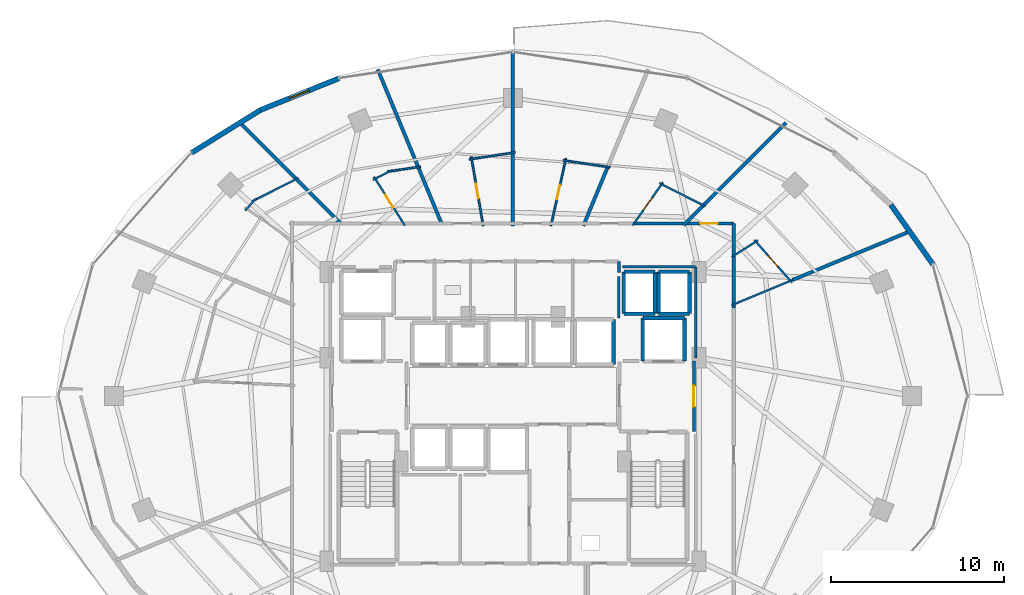
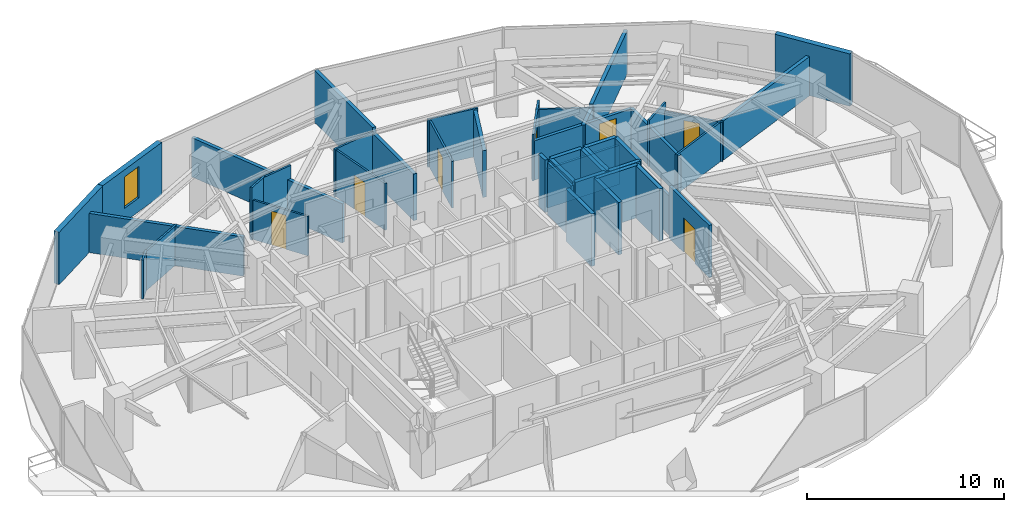
# One storey, part 27 of 31: 46 walls, 7 doors, 1 window, 8 openings.
"""IFC4 building model written with IfcOpenShell, lengths in metres."""

from ifc_helpers import new_model, si_unit, direction, frame, frame_2d, origin, place, context, subcontext, project, spatial, rectangle, extrude, material, layer, layer_set, type_object, element, fill, save


model = new_model("IFC4")

# Units and contexts
model_context = context("Model", 3, precision=1e-05, world=origin(), true_north=direction((0.0, 1.0)))
body_context = subcontext(model_context, "Body", "Model", "MODEL_VIEW")
ifc_project = project(units=[si_unit("LENGTHUNIT", "METRE"), si_unit("AREAUNIT", "SQUARE_METRE"), si_unit("VOLUMEUNIT", "CUBIC_METRE"), si_unit("PLANEANGLEUNIT", "RADIAN"), si_unit("MASSUNIT", "GRAM", prefix="KILO")], contexts=[model_context])

# Site, building, storey
site_placement = place(None, origin())
site = spatial("IfcSite", under=ifc_project, at=site_placement, CompositionType="ELEMENT")
building_placement = place(site_placement, origin())
building = spatial("IfcBuilding", under=site, at=building_placement, Name="Vorneva Point Tower", CompositionType="ELEMENT")
storey_placement = place(building_placement, frame((0.0, 0.0, 99.800048828125)))
storey = spatial("IfcBuildingStorey", under=building, at=storey_placement, Name="L26", CompositionType="ELEMENT", Elevation=99.800048828125)

# Walls
ifc_material_1 = material(Name="Concrete B60 (C50/60)", Category="concrete")
ifc_layer_1 = layer(ifc_material_1, 0.5)
ifc_layer_set_1 = layer_set([ifc_layer_1], Name="Concrete B60 (C50/60)")
wall_type_1 = type_object("IfcWallType", Name="WL-CORE-500", PredefinedType="SHEAR", material=ifc_layer_set_1)
wall_1_placement = place(storey_placement, frame((47.89990234375, 28.0, 0.0), z_axis=(0.0, 0.0, 1.0), x_axis=(0.0, 1.0, 0.0)))
element("IfcWall", 1, at=wall_1_placement, inside=storey, type_object=wall_type_1, Name="L26 Lift FFL2 Shaft Wall +X", PredefinedType="SHEAR", context=body_context, shape_type="SweptSolid", body=[
    extrude(rectangle(XDim=2.5, YDim=0.219970703125, at=frame_2d((1.25, 0.0))), origin(), (0.0, 0.0, 1.0), 3.239990234375),
])
wall_2_placement = place(storey_placement, frame((47.89990234375, 30.5, 0.0), z_axis=(0.0, 0.0, 1.0), x_axis=(-1.0, 0.0, 0.0)))
element("IfcWall", 2, at=wall_2_placement, inside=storey, type_object=wall_type_1, Name="L26 Lift FFL2 Shaft Wall +Y", PredefinedType="SHEAR", context=body_context, shape_type="SweptSolid", body=[
    extrude(rectangle(XDim=2.39990234375, YDim=0.219970703125, at=frame_2d((1.199951171875, 0.0))), origin(), (0.0, 0.0, 1.0), 3.239990234375),
])
wall_3_placement = place(storey_placement, frame((45.5, 30.5, 0.0), z_axis=(0.0, 0.0, 1.0), x_axis=(0.0, -1.0, 0.0)))
element("IfcWall", 3, at=wall_3_placement, inside=storey, type_object=wall_type_1, Name="L26 Lift FFL2 Shaft Wall -X", PredefinedType="SHEAR", context=body_context, shape_type="SweptSolid", body=[
    extrude(rectangle(XDim=2.5, YDim=0.219970703125, at=frame_2d((1.25, 0.0))), origin(), (0.0, 0.0, 1.0), 3.239990234375),
])
ifc_material_2 = material(Name="Precast concrete B50 (C40/50)", Category="concrete")
ifc_layer_2 = layer(ifc_material_2, 0.300048828125)
ifc_layer_set_2 = layer_set([ifc_layer_2], Name="Precast concrete B50 (C40/50)")
wall_type_2 = type_object("IfcWallType", Name="WL-EXT-300", PredefinedType="STANDARD", material=ifc_layer_set_2)
wall_4_placement = place(storey_placement, frame((62.251708984375, 33.59619140625, 0.0), z_axis=(0.0, 0.0, 1.0), x_axis=(-0.57716435238, 0.81662801222, 0.0)))
element("IfcWall", 4, at=wall_4_placement, inside=storey, type_object=wall_type_2, Name="L26 Pale-Metal Facade Spandrel Wall 02.1", PredefinedType="STANDARD", context=body_context, shape_type="SweptSolid", body=[
    extrude(rectangle(XDim=4.202392578125, YDim=0.300048828125, at=frame_2d((2.10107421875, 0.0))), origin(), (0.0, 0.0, 1.0), 3.239990234375),
])

# Wall, opening, window
wall_5_placement = place(storey_placement, frame((27.95458984375, 44.339111328125, 0.0), z_axis=(0.0, 0.0, 1.0), x_axis=(-0.927122233109, -0.374759075775, 0.0)))
wall_5 = element("IfcWall", 5, at=wall_5_placement, inside=storey, type_object=wall_type_2, Name="L26 Pale-Metal Facade Spandrel Wall 06.1", PredefinedType="STANDARD", context=body_context, shape_type="SweptSolid", body=[
    extrude(rectangle(XDim=4.89501953125, YDim=0.300048828125, at=frame_2d((2.447509765625, 0.0))), origin(), (0.0, 0.0, 1.0), 3.239990234375),
])
opening_1_placement = place(wall_5_placement, frame((1.87744140625, 0.0, 0.85009765625)))
opening_1 = element("IfcOpeningElement", 6, at=opening_1_placement, cuts=wall_5, Name="Opening W-04", PredefinedType="OPENING", context=body_context, shape_type="SweptSolid", body=[
    extrude(rectangle(XDim=1.199951171875, YDim=1.949951171875, at=frame_2d((0.60009765625, 0.97509765625))), frame((0.0, 0.1650390625, 0.0), z_axis=(0.0, -1.0, 0.0), x_axis=(1.0, 0.0, 0.0)), (0.0, 0.0, 1.0), 0.329833984375),
])
ifc_material_3 = material(Name="Double low-e laminated glass IGU", Category="glass")
window_type = type_object("IfcWindowType", Name="WN-RES-1200", PartitioningType="SINGLE_PANEL", PredefinedType="WINDOW", material=ifc_material_3)
window_placement = place(opening_1_placement, origin())
window = element("IfcWindow", 7, at=window_placement, inside=storey, type_object=window_type, Name="L26 Dwelling Vision Window 01", OverallHeight=1.949951171875, OverallWidth=1.199951171875, PartitioningType="SINGLE_PANEL", PredefinedType="WINDOW", context=body_context, shape_type="SweptSolid", body=[
    extrude(rectangle(XDim=1.199951171875, YDim=1.949951171875, at=frame_2d((0.60009765625, 0.97509765625))), frame((0.0, 0.030029296875, 0.0), z_axis=(0.0, -1.0, 0.0), x_axis=(1.0, 0.0, 0.0)), (0.0, 0.0, 1.0), 0.06005859375),
])
fill(opening_1, window)

# Wall
wall_6_placement = place(storey_placement, frame((23.416259765625, 42.504638671875, 0.0), z_axis=(0.0, 0.0, 1.0), x_axis=(-0.849684479743, -0.527291461038, 0.0)))
element("IfcWall", 8, at=wall_6_placement, inside=storey, type_object=wall_type_2, Name="L26 Pale-Metal Facade Spandrel Wall 06.2", PredefinedType="STANDARD", context=body_context, shape_type="SweptSolid", body=[
    extrude(rectangle(XDim=4.681396484375, YDim=0.300048828125, at=frame_2d((2.3408203125, 0.0))), origin(), (0.0, 0.0, 1.0), 3.239990234375),
])

# Wall, opening, door
ifc_material_4 = material(Name="Fire-rated acoustic gypsum stud partition", Category="gypsum")
ifc_layer_3 = layer(ifc_material_4, 0.110107421875)
ifc_layer_set_3 = layer_set([ifc_layer_3], Name="Fire-rated acoustic gypsum stud partition")
wall_type_3 = type_object("IfcWallType", Name="WL-PART-110", PredefinedType="PARTITIONING", material=ifc_layer_set_3)
wall_7_placement = place(storey_placement, frame((51.935302734375, 35.0068359375, 0.0), z_axis=(0.0, 0.0, 1.0), x_axis=(0.662059609276, -0.749451181709, 0.0)))
wall_7 = element("IfcWall", 9, at=wall_7_placement, inside=storey, type_object=wall_type_3, Name="L26 Interior Partition 053", PredefinedType="PARTITIONING", context=body_context, shape_type="SweptSolid", body=[
    extrude(rectangle(XDim=3.29931640625, YDim=0.110107421875, at=frame_2d((1.649658203125, 0.0))), origin(), (0.0, 0.0, 1.0), 2.431884765625),
])
opening_2_placement = place(wall_7_placement, frame((1.224609375, 0.0, 0.0)))
opening_2 = element("IfcOpeningElement", 10, at=opening_2_placement, cuts=wall_7, Name="Opening ID-02", PredefinedType="OPENING", context=body_context, shape_type="SweptSolid", body=[
    extrude(rectangle(XDim=0.85009765625, YDim=2.10009765625, at=frame_2d((0.425048828125, 1.050048828125))), frame((0.0, 0.06982421875, 0.0), z_axis=(0.0, -1.0, 0.0), x_axis=(1.0, 0.0, 0.0)), (0.0, 0.0, 1.0), 0.139892578125),
])
ifc_material_5 = material(Name="Engineered oak fire-rated door leaf", Category="wood")
door_type_1 = type_object("IfcDoorType", Name="DR-BATH-850", OperationType="NOTDEFINED", PredefinedType="DOOR", material=ifc_material_5)
door_1_placement = place(opening_2_placement, origin())
door_1 = element("IfcDoor", 11, at=door_1_placement, inside=storey, type_object=door_type_1, Name="L26 Door King Guest Room L26-01 / En-Suite Bathroom L26-01", OperationType="SINGLE_SWING_RIGHT", OverallHeight=2.10009765625, OverallWidth=0.85009765625, PredefinedType="DOOR", context=body_context, shape_type="SweptSolid", body=[
    extrude(rectangle(XDim=0.85009765625, YDim=2.10009765625, at=frame_2d((0.425048828125, 1.050048828125))), frame((0.0, 0.02490234375, 0.0), z_axis=(0.0, -1.0, 0.0), x_axis=(1.0, 0.0, 0.0)), (0.0, 0.0, 1.0), 0.050048828125),
])
fill(opening_2, door_1)

# Walls
wall_8_placement = place(storey_placement, frame((54.15625, 32.692626953125, 0.0), z_axis=(0.0, 0.0, 1.0), x_axis=(-0.923803754276, -0.382866326002, 0.0)))
element("IfcWall", 12, at=wall_8_placement, inside=storey, type_object=wall_type_3, Name="L26 Interior Partition 054", PredefinedType="PARTITIONING", context=body_context, shape_type="SweptSolid", body=[
    extrude(rectangle(XDim=3.8271484375, YDim=0.110107421875, at=frame_2d((1.91357421875, 0.0))), origin(), (0.0, 0.0, 1.0), 2.431884765625),
])
wall_9_placement = place(storey_placement, frame((50.6318359375, 34.01611328125, 0.0), z_axis=(0.0, 0.0, 1.0), x_axis=(0.844361394482, 0.535774052665, 0.0)))
element("IfcWall", 13, at=wall_9_placement, inside=storey, type_object=wall_type_3, Name="L26 Interior Partition 055", PredefinedType="PARTITIONING", context=body_context, shape_type="SweptSolid", body=[
    extrude(rectangle(XDim=1.79345703125, YDim=0.110107421875, at=frame_2d((0.896728515625, 0.0))), origin(), (0.0, 0.0, 1.0), 2.885986328125),
])
wall_10_placement = place(storey_placement, frame((46.462158203125, 38.281005859375, 0.0), z_axis=(0.0, 0.0, 1.0), x_axis=(0.892486842203, -0.451073426944, 0.0)))
element("IfcWall", 14, at=wall_10_placement, inside=storey, type_object=wall_type_3, Name="L26 Interior Partition 059", PredefinedType="PARTITIONING", context=body_context, shape_type="SweptSolid", body=[
    extrude(rectangle(XDim=2.982177734375, YDim=0.110107421875, at=frame_2d((1.4912109375, 0.0))), origin(), (0.0, 0.0, 1.0), 2.431884765625),
])

# Wall, opening, door
wall_11_placement = place(storey_placement, frame((44.91259765625, 35.83544921875, 0.0), z_axis=(0.0, 0.0, 1.0), x_axis=(0.574986040322, 0.818163219312, 0.0)))
wall_11 = element("IfcWall", 15, at=wall_11_placement, inside=storey, type_object=wall_type_3, Name="L26 Interior Partition 060", PredefinedType="PARTITIONING", context=body_context, shape_type="SweptSolid", body=[
    extrude(rectangle(XDim=3.052001953125, YDim=0.110107421875, at=frame_2d((1.52587890625, 0.0))), origin(), (0.0, 0.0, 1.0), 2.885986328125),
])
opening_3_placement = place(wall_11_placement, frame((1.10107421875, 0.0, 0.0)))
opening_3 = element("IfcOpeningElement", 16, at=opening_3_placement, cuts=wall_11, Name="Opening ID-02", PredefinedType="OPENING", context=body_context, shape_type="SweptSolid", body=[
    extrude(rectangle(XDim=0.85009765625, YDim=2.10009765625, at=frame_2d((0.425048828125, 1.050048828125))), frame((0.0, 0.06982421875, 0.0), z_axis=(0.0, -1.0, 0.0), x_axis=(1.0, 0.0, 0.0)), (0.0, 0.0, 1.0), 0.139892578125),
])
door_2_placement = place(opening_3_placement, origin())
door_2 = element("IfcDoor", 17, at=door_2_placement, inside=storey, type_object=door_type_1, Name="L26 Door Twin Guest Room L26-02 / En-Suite Bathroom L26-02", OperationType="SINGLE_SWING_LEFT", OverallHeight=2.10009765625, OverallWidth=0.85009765625, PredefinedType="DOOR", context=body_context, shape_type="SweptSolid", body=[
    extrude(rectangle(XDim=0.85009765625, YDim=2.10009765625, at=frame_2d((0.425048828125, 1.050048828125))), frame((0.0, 0.02490234375, 0.0), z_axis=(0.0, -1.0, 0.0), x_axis=(1.0, 0.0, 0.0)), (0.0, 0.0, 1.0), 0.050048828125),
])
fill(opening_3, door_2)

wall_12_placement = place(storey_placement, frame((40.193603515625, 35.8134765625, 0.0), z_axis=(0.0, 0.0, 1.0), x_axis=(0.21804880916, 0.975937865248, 0.0)))
wall_12 = element("IfcWall", 18, at=wall_12_placement, inside=storey, type_object=wall_type_3, Name="L26 Interior Partition 063", PredefinedType="PARTITIONING", context=body_context, shape_type="SweptSolid", body=[
    extrude(rectangle(XDim=3.998291015625, YDim=0.110107421875, at=frame_2d((1.9990234375, 0.0))), origin(), (0.0, 0.0, 1.0), 2.885986328125),
])
opening_4_placement = place(wall_12_placement, frame((1.57421875, 0.0, 0.0)))
opening_4 = element("IfcOpeningElement", 19, at=opening_4_placement, cuts=wall_12, Name="Opening ID-02", PredefinedType="OPENING", context=body_context, shape_type="SweptSolid", body=[
    extrude(rectangle(XDim=0.85009765625, YDim=2.10009765625, at=frame_2d((0.425048828125, 1.050048828125))), frame((0.0, 0.06982421875, 0.0), z_axis=(0.0, -1.0, 0.0), x_axis=(1.0, 0.0, 0.0)), (0.0, 0.0, 1.0), 0.139892578125),
])
door_3_placement = place(opening_4_placement, origin())
door_3 = element("IfcDoor", 20, at=door_3_placement, inside=storey, type_object=door_type_1, Name="L26 Door Deluxe Guest Room L26-03 / En-Suite Bathroom L26-03", OperationType="SINGLE_SWING_RIGHT", OverallHeight=2.10009765625, OverallWidth=0.85009765625, PredefinedType="DOOR", context=body_context, shape_type="SweptSolid", body=[
    extrude(rectangle(XDim=0.85009765625, YDim=2.10009765625, at=frame_2d((0.425048828125, 1.050048828125))), frame((0.0, 0.02490234375, 0.0), z_axis=(0.0, -1.0, 0.0), x_axis=(1.0, 0.0, 0.0)), (0.0, 0.0, 1.0), 0.050048828125),
])
fill(opening_4, door_3)

# Walls
wall_13_placement = place(storey_placement, frame((40.896484375, 39.599853515625, 0.0), z_axis=(0.0, 0.0, 1.0), x_axis=(0.98891024541, -0.148514398367, 0.0)))
element("IfcWall", 21, at=wall_13_placement, inside=storey, type_object=wall_type_3, Name="L26 Interior Partition 064", PredefinedType="PARTITIONING", context=body_context, shape_type="SweptSolid", body=[
    extrude(rectangle(XDim=2.745361328125, YDim=0.110107421875, at=frame_2d((1.37255859375, 0.0))), origin(), (0.0, 0.0, 1.0), 2.971923828125),
])
wall_14_placement = place(storey_placement, frame((35.474609375, 39.65625, 0.0), z_axis=(0.0, 0.0, 1.0), x_axis=(0.988878442063, 0.148726012595, 0.0)))
element("IfcWall", 22, at=wall_14_placement, inside=storey, type_object=wall_type_3, Name="L26 Interior Partition 067", PredefinedType="PARTITIONING", context=body_context, shape_type="SweptSolid", body=[
    extrude(rectangle(XDim=2.69384765625, YDim=0.110107421875, at=frame_2d((1.346923828125, 0.0))), origin(), (0.0, 0.0, 1.0), 2.971923828125),
])

# Wall, opening, door
wall_15_placement = place(storey_placement, frame((36.287109375, 35.81201171875, 0.0), z_axis=(0.0, 0.0, 1.0), x_axis=(-0.171838135253, 0.985125197766, 0.0)))
wall_15 = element("IfcWall", 23, at=wall_15_placement, inside=storey, type_object=wall_type_3, Name="L26 Interior Partition 068", PredefinedType="PARTITIONING", context=body_context, shape_type="SweptSolid", body=[
    extrude(rectangle(XDim=4.0634765625, YDim=0.110107421875, at=frame_2d((2.03173828125, 0.0))), origin(), (0.0, 0.0, 1.0), 2.885986328125),
])
opening_5_placement = place(wall_15_placement, frame((1.606689453125, 0.0, 0.0)))
opening_5 = element("IfcOpeningElement", 24, at=opening_5_placement, cuts=wall_15, Name="Opening ID-02", PredefinedType="OPENING", context=body_context, shape_type="SweptSolid", body=[
    extrude(rectangle(XDim=0.85009765625, YDim=2.10009765625, at=frame_2d((0.425048828125, 1.050048828125))), frame((0.0, 0.06982421875, 0.0), z_axis=(0.0, -1.0, 0.0), x_axis=(1.0, 0.0, 0.0)), (0.0, 0.0, 1.0), 0.139892578125),
])
door_4_placement = place(opening_5_placement, origin())
door_4 = element("IfcDoor", 25, at=door_4_placement, inside=storey, type_object=door_type_1, Name="L26 Door King Guest Room L26-04 / En-Suite Bathroom L26-04", OperationType="SINGLE_SWING_LEFT", OverallHeight=2.10009765625, OverallWidth=0.85009765625, PredefinedType="DOOR", context=body_context, shape_type="SweptSolid", body=[
    extrude(rectangle(XDim=0.85009765625, YDim=2.10009765625, at=frame_2d((0.425048828125, 1.050048828125))), frame((0.0, 0.02490234375, 0.0), z_axis=(0.0, -1.0, 0.0), x_axis=(1.0, 0.0, 0.0)), (0.0, 0.0, 1.0), 0.050048828125),
])
fill(opening_5, door_4)

# Walls
wall_16_placement = place(storey_placement, frame((29.919189453125, 38.47265625, 0.0), z_axis=(0.0, 0.0, 1.0), x_axis=(0.892084606746, 0.45186840386, 0.0)))
element("IfcWall", 26, at=wall_16_placement, inside=storey, type_object=wall_type_3, Name="L26 Interior Partition 070", PredefinedType="PARTITIONING", context=body_context, shape_type="SweptSolid", body=[
    extrude(rectangle(XDim=1.236083984375, YDim=0.110107421875, at=frame_2d((0.6181640625, 0.0))), origin(), (0.0, 0.0, 1.0), 3.239990234375),
])
wall_17_placement = place(storey_placement, frame((30.758544921875, 38.947265625, 0.0), z_axis=(0.0, 0.0, 1.0), x_axis=(0.988889867338, 0.148650026153, 0.0)))
element("IfcWall", 27, at=wall_17_placement, inside=storey, type_object=wall_type_3, Name="L26 Interior Partition 071", PredefinedType="PARTITIONING", context=body_context, shape_type="SweptSolid", body=[
    extrude(rectangle(XDim=1.92822265625, YDim=0.110107421875, at=frame_2d((0.964111328125, 0.0))), origin(), (0.0, 0.0, 1.0), 3.239990234375),
])

# Wall, opening, door
wall_18_placement = place(storey_placement, frame((31.760986328125, 35.831787109375, 0.0), z_axis=(0.0, 0.0, 1.0), x_axis=(-0.535991614842, 0.844223305067, 0.0)))
wall_18 = element("IfcWall", 28, at=wall_18_placement, inside=storey, type_object=wall_type_3, Name="L26 Interior Partition 072", PredefinedType="PARTITIONING", context=body_context, shape_type="SweptSolid", body=[
    extrude(rectangle(XDim=3.34326171875, YDim=0.110107421875, at=frame_2d((1.671630859375, 0.0))), origin(), (0.0, 0.0, 1.0), 2.431884765625),
])
opening_6_placement = place(wall_18_placement, frame((1.24658203125, 0.0, 0.0)))
opening_6 = element("IfcOpeningElement", 29, at=opening_6_placement, cuts=wall_18, Name="Opening ID-02", PredefinedType="OPENING", context=body_context, shape_type="SweptSolid", body=[
    extrude(rectangle(XDim=0.85009765625, YDim=2.10009765625, at=frame_2d((0.425048828125, 1.050048828125))), frame((0.0, 0.06982421875, 0.0), z_axis=(0.0, -1.0, 0.0), x_axis=(1.0, 0.0, 0.0)), (0.0, 0.0, 1.0), 0.139892578125),
])
door_5_placement = place(opening_6_placement, origin())
door_5 = element("IfcDoor", 30, at=door_5_placement, inside=storey, type_object=door_type_1, Name="L26 Door Twin Guest Room L26-05 / En-Suite Bathroom L26-05", OperationType="SINGLE_SWING_RIGHT", OverallHeight=2.10009765625, OverallWidth=0.85009765625, PredefinedType="DOOR", context=body_context, shape_type="SweptSolid", body=[
    extrude(rectangle(XDim=0.85009765625, YDim=2.10009765625, at=frame_2d((0.425048828125, 1.050048828125))), frame((0.0, 0.02490234375, 0.0), z_axis=(0.0, -1.0, 0.0), x_axis=(1.0, 0.0, 0.0)), (0.0, 0.0, 1.0), 0.050048828125),
])
fill(opening_6, door_5)

# Walls
wall_19_placement = place(storey_placement, frame((22.538330078125, 36.697021484375, 0.0), z_axis=(0.0, 0.0, 1.0), x_axis=(0.662242037053, 0.749289986827, 0.0)))
element("IfcWall", 31, at=wall_19_placement, inside=storey, type_object=wall_type_3, Name="L26 Interior Partition 074", PredefinedType="PARTITIONING", context=body_context, shape_type="SweptSolid", body=[
    extrude(rectangle(XDim=0.936767578125, YDim=0.110107421875, at=frame_2d((0.46826171875, 0.0))), origin(), (0.0, 0.0, 1.0), 2.431884765625),
])
wall_20_placement = place(storey_placement, frame((22.941162109375, 37.23095703125, 0.0), z_axis=(0.0, 0.0, 1.0), x_axis=(0.892507731149, 0.451032094024, 0.0)))
element("IfcWall", 32, at=wall_20_placement, inside=storey, type_object=wall_type_3, Name="L26 Interior Partition 075", PredefinedType="PARTITIONING", context=body_context, shape_type="SweptSolid", body=[
    extrude(rectangle(XDim=2.989013671875, YDim=0.110107421875, at=frame_2d((1.49462890625, 0.0))), origin(), (0.0, 0.0, 1.0), 2.431884765625),
])
ifc_layer_4 = layer(ifc_material_4, 0.139892578125)
ifc_layer_set_4 = layer_set([ifc_layer_4], Name="Fire-rated acoustic gypsum stud partition")
wall_type_4 = type_object("IfcWallType", Name="WL-PART-140", PredefinedType="PARTITIONING", material=ifc_layer_set_4)
wall_21_placement = place(storey_placement, frame((44.1201171875, 30.47998046875, 0.0), z_axis=(0.0, 0.0, 1.0), x_axis=(0.0, 1.0, 0.0)))
element("IfcWall", 33, at=wall_21_placement, inside=storey, type_object=wall_type_4, Name="L26 Interior Closure Partition 101", PredefinedType="PARTITIONING", context=body_context, shape_type="SweptSolid", body=[
    extrude(rectangle(XDim=2.409912109375, YDim=0.139892578125, at=frame_2d((1.205078125, 0.0))), origin(), (0.0, 0.0, 1.0), 3.239990234375),
])
wall_22_placement = place(storey_placement, frame((44.340087890625, 33.449951171875, 0.0), z_axis=(0.0, 0.0, 1.0), x_axis=(1.0, 0.0, 0.0)))
element("IfcWall", 34, at=wall_22_placement, inside=storey, type_object=wall_type_4, Name="L26 Interior Closure Partition 104", PredefinedType="PARTITIONING", context=body_context, shape_type="SweptSolid", body=[
    extrude(rectangle(XDim=4.2099609375, YDim=0.139892578125, at=frame_2d((2.10498046875, 0.0))), origin(), (0.0, 0.0, 1.0), 2.431884765625),
])
wall_23_placement = place(storey_placement, frame((48.550048828125, 33.449951171875, 0.0), z_axis=(0.0, 0.0, 1.0), x_axis=(0.0, -1.0, 0.0)))
element("IfcWall", 35, at=wall_23_placement, inside=storey, type_object=wall_type_4, Name="L26 Interior Closure Partition 105", PredefinedType="PARTITIONING", context=body_context, shape_type="SweptSolid", body=[
    extrude(rectangle(XDim=5.25390625, YDim=0.139892578125, at=frame_2d((2.626953125, 0.0))), origin(), (0.0, 0.0, 1.0), 2.431884765625),
])

# Wall, opening, door
ifc_material_6 = material(Name="Autoclaved aerated concrete blockwork", Category="masonry")
ifc_layer_5 = layer(ifc_material_6, 0.179931640625)
ifc_layer_set_5 = layer_set([ifc_layer_5], Name="Autoclaved aerated concrete blockwork")
wall_type_5 = type_object("IfcWallType", Name="WL-PART-180", PredefinedType="PARTITIONING", material=ifc_layer_set_5)
wall_24_placement = place(storey_placement, frame((48.449951171875, 23.949951171875, 0.0), z_axis=(0.0, 0.0, 1.0), x_axis=(0.0, 1.0, 0.0)))
wall_24 = element("IfcWall", 36, at=wall_24_placement, inside=storey, type_object=wall_type_5, Name="L26 Interior Partition 005", PredefinedType="PARTITIONING", context=body_context, shape_type="SweptSolid", body=[
    extrude(rectangle(XDim=4.050048828125, YDim=0.179931640625, at=frame_2d((2.02490234375, 0.0))), origin(), (0.0, 0.0, 1.0), 3.239990234375),
])
opening_7_placement = place(wall_24_placement, frame((1.425048828125, 0.0, 0.0)))
opening_7 = element("IfcOpeningElement", 37, at=opening_7_placement, cuts=wall_24, Name="Opening FD-02", PredefinedType="OPENING", context=body_context, shape_type="SweptSolid", body=[
    extrude(rectangle(XDim=1.199951171875, YDim=2.14990234375, at=frame_2d((0.60009765625, 1.074951171875))), frame((0.0, 0.10498046875, 0.0), z_axis=(0.0, -1.0, 0.0), x_axis=(1.0, 0.0, 0.0)), (0.0, 0.0, 1.0), 0.209716796875),
])
ifc_material_7 = material(Name="Fire-rated powder-coated steel", Category="steel")
door_type_2 = type_object("IfcDoorType", Name="DR-FFL-1200", OperationType="NOTDEFINED", PredefinedType="DOOR", material=ifc_material_7)
door_6_placement = place(opening_7_placement, origin())
door_6 = element("IfcDoor", 38, at=door_6_placement, inside=storey, type_object=door_type_2, Name="L26 Door East Firefighting Lobby / L26 Circulation Corridor", OperationType="SINGLE_SWING_LEFT", OverallHeight=2.14990234375, OverallWidth=1.199951171875, PredefinedType="DOOR", context=body_context, shape_type="SweptSolid", body=[
    extrude(rectangle(XDim=1.199951171875, YDim=2.14990234375, at=frame_2d((0.60009765625, 1.074951171875))), frame((0.0, 0.02490234375, 0.0), z_axis=(0.0, -1.0, 0.0), x_axis=(1.0, 0.0, 0.0)), (0.0, 0.0, 1.0), 0.050048828125),
])
fill(opening_7, door_6)

# Walls
wall_25_placement = place(storey_placement, frame((44.1201171875, 33.110107421875, 0.0), z_axis=(0.0, 0.0, 1.0), x_axis=(0.0, 1.0, 0.0)))
element("IfcWall", 39, at=wall_25_placement, inside=storey, type_object=wall_type_5, Name="L26 Interior Partition 024", PredefinedType="PARTITIONING", context=body_context, shape_type="SweptSolid", body=[
    extrude(rectangle(XDim=0.64990234375, YDim=0.179931640625, at=frame_2d((0.324951171875, 0.0))), origin(), (0.0, 0.0, 1.0), 3.239990234375),
])
wall_26_placement = place(storey_placement, frame((50.75, 34.031005859375, 0.0), z_axis=(0.0, 0.0, 1.0), x_axis=(0.0, 1.0, 0.0)))
element("IfcWall", 40, at=wall_26_placement, inside=storey, type_object=wall_type_5, Name="L26 Interior Partition 028", PredefinedType="PARTITIONING", context=body_context, shape_type="SweptSolid", body=[
    extrude(rectangle(XDim=1.9189453125, YDim=0.179931640625, at=frame_2d((0.95947265625, 0.0))), origin(), (0.0, 0.0, 1.0), 2.431884765625),
])

# Wall, opening, door
wall_27_placement = place(storey_placement, frame((50.75, 35.949951171875, 0.0), z_axis=(0.0, 0.0, 1.0), x_axis=(-1.0, 0.0, 0.0)))
wall_27 = element("IfcWall", 41, at=wall_27_placement, inside=storey, type_object=wall_type_5, Name="L26 Interior Partition 029", PredefinedType="PARTITIONING", context=body_context, shape_type="SweptSolid", body=[
    extrude(rectangle(XDim=2.860107421875, YDim=0.179931640625, at=frame_2d((1.43017578125, 0.0))), origin(), (0.0, 0.0, 1.0), 2.431884765625),
])
opening_8_placement = place(wall_27_placement, frame((0.929931640625, 0.0, 0.0)))
opening_8 = element("IfcOpeningElement", 42, at=opening_8_placement, cuts=wall_27, Name="Opening UD-01", PredefinedType="OPENING", context=body_context, shape_type="SweptSolid", body=[
    extrude(rectangle(XDim=1.0, YDim=2.14990234375, at=frame_2d((0.5, 1.074951171875))), frame((0.0, 0.10498046875, 0.0), z_axis=(0.0, -1.0, 0.0), x_axis=(1.0, 0.0, 0.0)), (0.0, 0.0, 1.0), 0.209716796875),
])
door_type_3 = type_object("IfcDoorType", Name="DR-UNIT-1000", OperationType="NOTDEFINED", PredefinedType="DOOR", material=ifc_material_5)
door_7_placement = place(opening_8_placement, origin())
door_7 = element("IfcDoor", 43, at=door_7_placement, inside=storey, type_object=door_type_3, Name="L26 Door L26 Circulation Corridor / King Guest Room L26-01", OperationType="SINGLE_SWING_LEFT", OverallHeight=2.14990234375, OverallWidth=1.0, PredefinedType="DOOR", context=body_context, shape_type="SweptSolid", body=[
    extrude(rectangle(XDim=1.0, YDim=2.14990234375, at=frame_2d((0.5, 1.074951171875))), frame((0.0, 0.02490234375, 0.0), z_axis=(0.0, -1.0, 0.0), x_axis=(1.0, 0.0, 0.0)), (0.0, 0.0, 1.0), 0.050048828125),
])
fill(opening_8, door_7)

# Walls
wall_28_placement = place(storey_placement, frame((50.75, 31.0810546875, 0.0), z_axis=(0.0, 0.0, 1.0), x_axis=(0.0, 1.0, 0.0)))
element("IfcWall", 44, at=wall_28_placement, inside=storey, type_object=wall_type_5, Name="L26 Interior Partition 030", PredefinedType="PARTITIONING", context=body_context, shape_type="SweptSolid", body=[
    extrude(rectangle(XDim=3.08984375, YDim=0.179931640625, at=frame_2d((1.544921875, 0.0))), origin(), (0.0, 0.0, 1.0), 2.431884765625),
])
wall_29_placement = place(storey_placement, frame((48.030029296875, 35.949951171875, 0.0), z_axis=(0.0, 0.0, 1.0), x_axis=(-1.0, 0.0, 0.0)))
element("IfcWall", 45, at=wall_29_placement, inside=storey, type_object=wall_type_5, Name="L26 Interior Partition 032", PredefinedType="PARTITIONING", context=body_context, shape_type="SweptSolid", body=[
    extrude(rectangle(XDim=3.10400390625, YDim=0.179931640625, at=frame_2d((1.552001953125, 0.0))), origin(), (0.0, 0.0, 1.0), 2.431884765625),
])
ifc_layer_6 = layer(ifc_material_6, 0.199951171875)
ifc_layer_set_6 = layer_set([ifc_layer_6], Name="Autoclaved aerated concrete blockwork")
wall_type_6 = type_object("IfcWallType", Name="WL-PART-200", PredefinedType="PARTITIONING", material=ifc_layer_set_6)
wall_30_placement = place(storey_placement, frame((53.76806640625, 41.76806640625, 0.0), z_axis=(0.0, 0.0, 1.0), x_axis=(-0.707106781187, -0.707106781187, 0.0)))
element("IfcWall", 46, at=wall_30_placement, inside=storey, type_object=wall_type_6, Name="L26 Interior Partition 056", PredefinedType="PARTITIONING", context=body_context, shape_type="SweptSolid", body=[
    extrude(rectangle(XDim=6.807861328125, YDim=0.199951171875, at=frame_2d((3.40380859375, 0.0))), origin(), (0.0, 0.0, 1.0), 2.677001953125),
])
wall_31_placement = place(storey_placement, frame((49.052978515625, 37.052978515625, 0.0), z_axis=(0.0, 0.0, 1.0), x_axis=(-0.707106781187, -0.707106781187, 0.0)))
element("IfcWall", 47, at=wall_31_placement, inside=storey, type_object=wall_type_6, Name="L26 Interior Partition 057", PredefinedType="PARTITIONING", context=body_context, shape_type="SweptSolid", body=[
    extrude(rectangle(XDim=1.69970703125, YDim=0.199951171875, at=frame_2d((0.849853515625, 0.0))), origin(), (0.0, 0.0, 1.0), 2.431884765625),
])
wall_32_placement = place(storey_placement, frame((54.156494140625, 32.692138671875, 0.0), z_axis=(0.0, 0.0, 1.0), x_axis=(0.923875192571, 0.38269390974, 0.0)))
element("IfcWall", 48, at=wall_32_placement, inside=storey, type_object=wall_type_6, Name="L26 Interior Partition 058", PredefinedType="PARTITIONING", context=body_context, shape_type="SweptSolid", body=[
    extrude(rectangle(XDim=7.31103515625, YDim=0.199951171875, at=frame_2d((3.655517578125, 0.0))), origin(), (0.0, 0.0, 1.0), 2.431884765625),
])
wall_33_placement = place(storey_placement, frame((43.502685546875, 39.285400390625, 0.0), z_axis=(0.0, 0.0, 1.0), x_axis=(-0.382733183699, -0.923858923265, 0.0)))
element("IfcWall", 49, at=wall_33_placement, inside=storey, type_object=wall_type_6, Name="L26 Interior Partition 062", PredefinedType="PARTITIONING", context=body_context, shape_type="SweptSolid", body=[
    extrude(rectangle(XDim=3.750244140625, YDim=0.199951171875, at=frame_2d((1.875, 0.0))), origin(), (0.0, 0.0, 1.0), 2.885986328125),
])
wall_34_placement = place(storey_placement, frame((38.0, 45.85009765625, 0.0), z_axis=(0.0, 0.0, 1.0), x_axis=(0.0, -1.0, 0.0)))
element("IfcWall", 50, at=wall_34_placement, inside=storey, type_object=wall_type_6, Name="L26 Interior Partition 065", PredefinedType="PARTITIONING", context=body_context, shape_type="SweptSolid", body=[
    extrude(rectangle(XDim=5.875, YDim=0.199951171875, at=frame_2d((2.9375, 0.0))), origin(), (0.0, 0.0, 1.0), 3.239990234375),
])
wall_35_placement = place(storey_placement, frame((38.0, 40.114990234375, 0.0), z_axis=(0.0, 0.0, 1.0), x_axis=(0.0, -1.0, 0.0)))
element("IfcWall", 51, at=wall_35_placement, inside=storey, type_object=wall_type_6, Name="L26 Interior Partition 066", PredefinedType="PARTITIONING", context=body_context, shape_type="SweptSolid", body=[
    extrude(rectangle(XDim=4.304931640625, YDim=0.199951171875, at=frame_2d((2.15234375, 0.0))), origin(), (0.0, 0.0, 1.0), 2.885986328125),
])
wall_36_placement = place(storey_placement, frame((30.19189453125, 44.85107421875, 0.0), z_axis=(0.0, 0.0, 1.0), x_axis=(0.382687492799, -0.923877850614, 0.0)))
element("IfcWall", 52, at=wall_36_placement, inside=storey, type_object=wall_type_6, Name="L26 Interior Partition 069", PredefinedType="PARTITIONING", context=body_context, shape_type="SweptSolid", body=[
    extrude(rectangle(XDim=9.634521484375, YDim=0.199951171875, at=frame_2d((4.8173828125, 0.0))), origin(), (0.0, 0.0, 1.0), 2.431884765625),
])
wall_37_placement = place(storey_placement, frame((22.23193359375, 41.76806640625, 0.0), z_axis=(0.0, 0.0, 1.0), x_axis=(0.707106781187, -0.707106781187, 0.0)))
element("IfcWall", 53, at=wall_37_placement, inside=storey, type_object=wall_type_6, Name="L26 Interior Partition 073", PredefinedType="PARTITIONING", context=body_context, shape_type="SweptSolid", body=[
    extrude(rectangle(XDim=8.22802734375, YDim=0.199951171875, at=frame_2d((4.114013671875, 0.0))), origin(), (0.0, 0.0, 1.0), 2.431884765625),
])
ifc_material_8 = material(Name="Concrete B50 (C40/50)", Category="concrete")
ifc_layer_7 = layer(ifc_material_8, 0.219970703125)
ifc_layer_set_7 = layer_set([ifc_layer_7], Name="Concrete B50 (C40/50)")
wall_type_7 = type_object("IfcWallType", Name="WL-SHFT-220", PredefinedType="SOLIDWALL", material=ifc_layer_set_7)
wall_38_placement = place(storey_placement, frame((43.800048828125, 27.800048828125, 0.0), z_axis=(0.0, 0.0, 1.0), x_axis=(0.0, 1.0, 0.0)))
element("IfcWall", 54, at=wall_38_placement, inside=storey, type_object=wall_type_7, Name="L26 Lift PL8 Shaft Wall +X", PredefinedType="SOLIDWALL", context=body_context, shape_type="SweptSolid", body=[
    extrude(rectangle(XDim=2.599853515625, YDim=0.219970703125, at=frame_2d((1.2998046875, 0.0))), origin(), (0.0, 0.0, 1.0), 3.239990234375),
])
wall_39_placement = place(storey_placement, frame((44.39990234375, 30.739990234375, 0.0), z_axis=(0.0, 0.0, 1.0), x_axis=(1.0, 0.0, 0.0)))
element("IfcWall", 55, at=wall_39_placement, inside=storey, type_object=wall_type_7, Name="L26 Lift EX1 Shaft Wall -Y", PredefinedType="SOLIDWALL", context=body_context, shape_type="SweptSolid", body=[
    extrude(rectangle(XDim=1.800048828125, YDim=0.219970703125, at=frame_2d((0.89990234375, 0.0))), origin(), (0.0, 0.0, 1.0), 3.239990234375),
])
wall_40_placement = place(storey_placement, frame((46.199951171875, 30.739990234375, 0.0), z_axis=(0.0, 0.0, 1.0), x_axis=(0.0, 1.0, 0.0)))
element("IfcWall", 56, at=wall_40_placement, inside=storey, type_object=wall_type_7, Name="L26 Lift EX1 Shaft Wall +X", PredefinedType="SOLIDWALL", context=body_context, shape_type="SweptSolid", body=[
    extrude(rectangle(XDim=2.419921875, YDim=0.219970703125, at=frame_2d((1.2099609375, 0.0))), origin(), (0.0, 0.0, 1.0), 3.239990234375),
])
wall_41_placement = place(storey_placement, frame((46.199951171875, 33.159912109375, 0.0), z_axis=(0.0, 0.0, 1.0), x_axis=(-1.0, 0.0, 0.0)))
element("IfcWall", 57, at=wall_41_placement, inside=storey, type_object=wall_type_7, Name="L26 Lift EX1 Shaft Wall +Y", PredefinedType="SOLIDWALL", context=body_context, shape_type="SweptSolid", body=[
    extrude(rectangle(XDim=1.800048828125, YDim=0.219970703125, at=frame_2d((0.89990234375, 0.0))), origin(), (0.0, 0.0, 1.0), 3.239990234375),
])
wall_42_placement = place(storey_placement, frame((44.39990234375, 33.159912109375, 0.0), z_axis=(0.0, 0.0, 1.0), x_axis=(0.0, -1.0, 0.0)))
element("IfcWall", 58, at=wall_42_placement, inside=storey, type_object=wall_type_7, Name="L26 Lift EX1 Shaft Wall -X", PredefinedType="SOLIDWALL", context=body_context, shape_type="SweptSolid", body=[
    extrude(rectangle(XDim=2.419921875, YDim=0.219970703125, at=frame_2d((1.2099609375, 0.0))), origin(), (0.0, 0.0, 1.0), 3.239990234375),
])
wall_43_placement = place(storey_placement, frame((46.39990234375, 30.739990234375, 0.0), z_axis=(0.0, 0.0, 1.0), x_axis=(1.0, 0.0, 0.0)))
element("IfcWall", 59, at=wall_43_placement, inside=storey, type_object=wall_type_7, Name="L26 Lift EX2 Shaft Wall -Y", PredefinedType="SOLIDWALL", context=body_context, shape_type="SweptSolid", body=[
    extrude(rectangle(XDim=1.800048828125, YDim=0.219970703125, at=frame_2d((0.89990234375, 0.0))), origin(), (0.0, 0.0, 1.0), 3.239990234375),
])
wall_44_placement = place(storey_placement, frame((48.199951171875, 30.739990234375, 0.0), z_axis=(0.0, 0.0, 1.0), x_axis=(0.0, 1.0, 0.0)))
element("IfcWall", 60, at=wall_44_placement, inside=storey, type_object=wall_type_7, Name="L26 Lift EX2 Shaft Wall +X", PredefinedType="SOLIDWALL", context=body_context, shape_type="SweptSolid", body=[
    extrude(rectangle(XDim=2.419921875, YDim=0.219970703125, at=frame_2d((1.2099609375, 0.0))), origin(), (0.0, 0.0, 1.0), 3.239990234375),
])
wall_45_placement = place(storey_placement, frame((48.199951171875, 33.159912109375, 0.0), z_axis=(0.0, 0.0, 1.0), x_axis=(-1.0, 0.0, 0.0)))
element("IfcWall", 61, at=wall_45_placement, inside=storey, type_object=wall_type_7, Name="L26 Lift EX2 Shaft Wall +Y", PredefinedType="SOLIDWALL", context=body_context, shape_type="SweptSolid", body=[
    extrude(rectangle(XDim=1.800048828125, YDim=0.219970703125, at=frame_2d((0.89990234375, 0.0))), origin(), (0.0, 0.0, 1.0), 3.239990234375),
])
wall_46_placement = place(storey_placement, frame((46.39990234375, 33.159912109375, 0.0), z_axis=(0.0, 0.0, 1.0), x_axis=(0.0, -1.0, 0.0)))
element("IfcWall", 62, at=wall_46_placement, inside=storey, type_object=wall_type_7, Name="L26 Lift EX2 Shaft Wall -X", PredefinedType="SOLIDWALL", context=body_context, shape_type="SweptSolid", body=[
    extrude(rectangle(XDim=2.419921875, YDim=0.219970703125, at=frame_2d((1.2099609375, 0.0))), origin(), (0.0, 0.0, 1.0), 3.239990234375),
])

save(model, "model.ifc")
